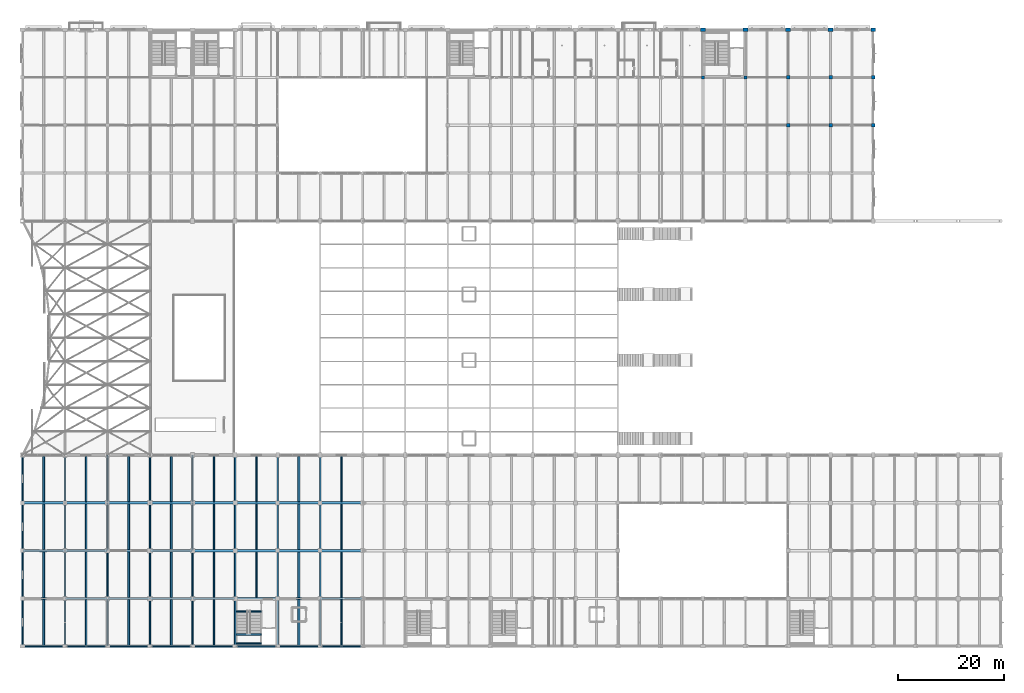
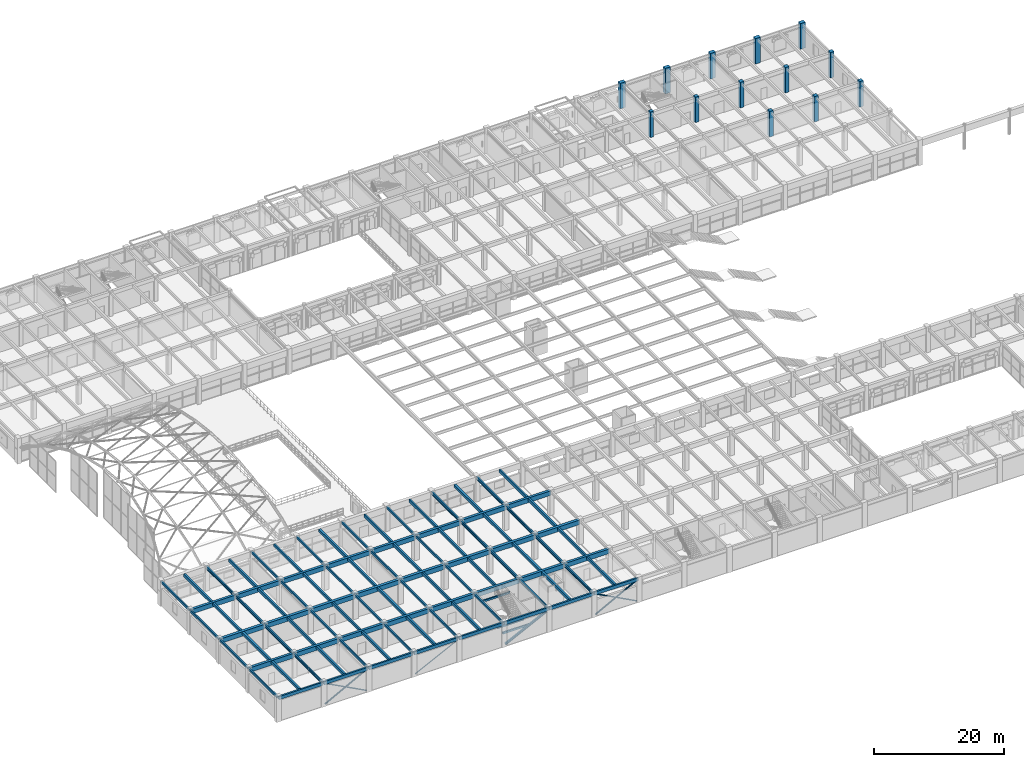
# One storey, part 7 of 144: 98 beams, 13 columns, 8 members.
"""IFC4 building model written with IfcOpenShell, lengths in metres."""

import ifcopenshell
import ifcopenshell.guid

model = None  # the IFC model being written
_history = None  # IfcOwnerHistory: only IFC2X3 demands one
_inside = {}  # id of a spatial element -> (the spatial element, [elements in it])
_under = {}  # id of a project, library or spatial element -> (it, [spatial elements below it])
_declared = {}  # id of a project -> (the project, [libraries it declares])
_typed = {}  # id of a type object -> (the type object, [elements of that type])
_made_of = {}  # id of a material, layer set ... -> (it, [elements and type objects made of it])


def new_model(schema):
    """Start an empty IFC model of exactly this schema.

    Asked for "IFC4X3", IfcOpenShell would pick the latest addendum, in which some entities
    have other attributes; the version numbers below select the first issue.
    IFC2X3 requires an IfcOwnerHistory on every rooted entity: one is made here for all.
    """
    global model, _history
    if schema == "IFC4X3":
        model = ifcopenshell.file(schema_version=(4, 3, 0, 0))
    else:
        model = ifcopenshell.file(schema=schema)
    _inside.clear()
    _under.clear()
    _declared.clear()
    _typed.clear()
    _made_of.clear()
    _history = None
    if model.schema == "IFC2X3":
        org = make("IfcOrganization", Name="unknown")
        user = make(
            "IfcPersonAndOrganization",
            ThePerson=make("IfcPerson", FamilyName="unknown"),
            TheOrganization=org,
        )
        app = make(
            "IfcApplication",
            ApplicationDeveloper=org,
            Version="unknown",
            ApplicationFullName="unknown",
            ApplicationIdentifier="unknown",
        )
        _history = make(
            "IfcOwnerHistory",
            OwningUser=user,
            OwningApplication=app,
            ChangeAction="ADDED",
            CreationDate=0,
        )
    return model


def make(cls, **values):
    """One entity of the class cls with the attributes given. An attribute that is None is left unset."""
    return model.create_entity(
        cls, **{name: value for name, value in values.items() if value is not None}
    )


def rooted(cls, **values):
    """An entity with a GlobalId (a new one), such as an element, a storey or a relation."""
    return make(cls, GlobalId=ifcopenshell.guid.new(), OwnerHistory=_history, **values)


def si_unit(unit_type, name, prefix=None):
    """IfcSIUnit, for example si_unit("LENGTHUNIT", "METRE", prefix="MILLI")."""
    return make("IfcSIUnit", UnitType=unit_type, Prefix=prefix, Name=name)


def assignment(units):
    """IfcUnitAssignment: the units of a project."""
    return None if units is None else make("IfcUnitAssignment", Units=units)


def point(xyz):
    """IfcCartesianPoint."""
    return None if xyz is None else make("IfcCartesianPoint", Coordinates=xyz)


def direction(xyz):
    """IfcDirection."""
    return None if xyz is None else make("IfcDirection", DirectionRatios=xyz)


def frame(location, z_axis=None, x_axis=None):
    """IfcAxis2Placement3D, a coordinate frame: its origin and axes. An axis left out is left unset."""
    return make(
        "IfcAxis2Placement3D",
        Location=point(location),
        Axis=direction(z_axis),
        RefDirection=direction(x_axis),
    )


def frame_2d(location, x_axis=None):
    """IfcAxis2Placement2D, a coordinate frame in the plane: its origin and x axis."""
    return make(
        "IfcAxis2Placement2D", Location=point(location), RefDirection=direction(x_axis)
    )


def origin():
    """The frame at (0, 0, 0) with its axes left unset."""
    return frame((0.0, 0.0, 0.0))


def origin_2d():
    """The frame at (0, 0) in the plane with its x axis left unset."""
    return frame_2d((0.0, 0.0))


def place(relative_to, where):
    """IfcLocalPlacement: puts the frame where relative to a parent placement (None: the world)."""
    return make(
        "IfcLocalPlacement", PlacementRelTo=relative_to, RelativePlacement=where
    )


def context(
    kind, dimensions, precision=None, world=None, true_north=None, identifier=None
):
    """IfcGeometricRepresentationContext, for example the 3D "Model" context."""
    return make(
        "IfcGeometricRepresentationContext",
        ContextIdentifier=identifier,
        ContextType=kind,
        CoordinateSpaceDimension=dimensions,
        Precision=precision,
        WorldCoordinateSystem=world,
        TrueNorth=true_north,
    )


def subcontext(parent, identifier, kind, view, scale=None):
    """IfcGeometricRepresentationSubContext, for example "Body" below "Model"."""
    return make(
        "IfcGeometricRepresentationSubContext",
        ContextIdentifier=identifier,
        ContextType=kind,
        ParentContext=parent,
        TargetScale=scale,
        TargetView=view,
    )


def project(units=None, contexts=None):
    """IfcProject with its units and contexts."""
    return rooted(
        "IfcProject",
        Name="project",
        RepresentationContexts=contexts,
        UnitsInContext=assignment(units),
    )


def spatial(cls, under=None, at=None, **own):
    """A site, building, storey or space (cls), placed at a placement, below another one or the project."""
    s = rooted(cls, ObjectPlacement=at, **own)
    if under is not None:
        _under.setdefault(under.id(), (under, []))[1].append(s)
    return s


def profile(cls, at=None, kind="AREA", **sizes):
    """A parametric profile (cls). Its sizes go by their IFC names, for example OverallWidth=200.0."""
    return make(cls, ProfileType=kind, Position=at, **sizes)


def rectangle(**sizes):
    """IfcRectangleProfileDef."""
    return profile("IfcRectangleProfileDef", **sizes)


def hollow_circle(**sizes):
    """IfcCircleHollowProfileDef."""
    return profile("IfcCircleHollowProfileDef", **sizes)


def i_section(**sizes):
    """IfcIShapeProfileDef."""
    return profile("IfcIShapeProfileDef", **sizes)


def extrude(swept, where, along, depth):
    """IfcExtrudedAreaSolid: the profile swept, set in the frame where, extruded along a direction by depth."""
    return make(
        "IfcExtrudedAreaSolid",
        SweptArea=swept,
        Position=where,
        ExtrudedDirection=direction(along),
        Depth=depth,
    )


def shape(context_of_items, identifier, shape_type, items):
    """IfcShapeRepresentation: the items that make up one representation, for example the "Body"."""
    return make(
        "IfcShapeRepresentation",
        ContextOfItems=context_of_items,
        RepresentationIdentifier=identifier,
        RepresentationType=shape_type,
        Items=items,
    )


def material(Name=None, Category=None):
    """IfcMaterial."""
    return make("IfcMaterial", Name=Name, Category=Category)


def material_profile(
    of_material, cross_section, Name=None, Category=None, Priority=None
):
    """IfcMaterialProfile: a cross section and its material."""
    return make(
        "IfcMaterialProfile",
        Name=Name,
        Material=of_material,
        Profile=cross_section,
        Priority=Priority,
        Category=Category,
    )


def profile_set(profiles, Name=None, composite=None):
    """IfcMaterialProfileSet."""
    return make(
        "IfcMaterialProfileSet",
        Name=Name,
        MaterialProfiles=profiles,
        CompositeProfile=composite,
    )


def made_of(thing, what):
    """Note that an element or type object is made of a material, layer set ...; save() writes the relation."""
    if what is not None:
        _made_of.setdefault(what.id(), (what, []))[1].append(thing)
    return thing


def type_object(cls, material=None, **own):
    """A type object (cls), such as IfcWallType, which elements share."""
    return made_of(rooted(cls, **own), material)


def element(
    cls,
    number,
    at=None,
    inside=None,
    cuts=None,
    type_object=None,
    material=None,
    context=None,
    identifier="Body",
    shape_type=None,
    held_by="IfcProductDefinitionShape",
    body=None,
    shapes=None,
    **own,
):
    """One element of the class cls, such as IfcWall. Its Tag is "e" and its number.

    at: its placement. inside: the storey or other place that contains it. cuts: it is an
    opening in that element (IfcRelVoidsElement). A single representation is given by context,
    identifier, shape_type and body (its items); several are given by shapes. held_by: the class
    of the entity that holds the representations. save() writes the other relations.
    """
    e = rooted(cls, Tag="e%d" % number, ObjectPlacement=at, **own)
    if body is not None:
        shapes = [shape(context, identifier, shape_type, body)]
    if shapes is not None:
        e.Representation = make(held_by, Representations=shapes)
    if inside is not None:
        _inside.setdefault(inside.id(), (inside, []))[1].append(e)
    if cuts is not None:
        rooted(
            "IfcRelVoidsElement", RelatingBuildingElement=cuts, RelatedOpeningElement=e
        )
    if type_object is not None:
        _typed.setdefault(type_object.id(), (type_object, []))[1].append(e)
    return made_of(e, material)


def aggregate(whole, parts):
    """IfcRelAggregates: a whole, such as a stair, and the parts it consists of."""
    return rooted("IfcRelAggregates", RelatingObject=whole, RelatedObjects=parts)


def save(model, path):
    """Write the relations noted so far, then the file.

    IfcRelAggregates (storeys below a building ...), IfcRelContainedInSpatialStructure (elements
    in a storey), IfcRelDefinesByType, IfcRelAssociatesMaterial and IfcRelDeclares: one each for
    every whole, place, type object, material and project.
    """
    for whole, parts in _under.values():
        aggregate(whole, parts)
    for where, things in _inside.values():
        rooted(
            "IfcRelContainedInSpatialStructure",
            RelatedElements=things,
            RelatingStructure=where,
        )
    for kind, things in _typed.values():
        rooted("IfcRelDefinesByType", RelatedObjects=things, RelatingType=kind)
    for what, things in _made_of.values():
        rooted("IfcRelAssociatesMaterial", RelatedObjects=things, RelatingMaterial=what)
    for by, libraries in _declared.values():
        rooted("IfcRelDeclares", RelatingContext=by, RelatedDefinitions=libraries)
    model.write(path)


model = new_model("IFC4")

# Units and contexts
model_context = context("Model", 3, precision=1e-05, world=origin(), true_north=direction((0.0, 1.0)))
body_context = subcontext(model_context, "Body", "Model", "MODEL_VIEW")
ifc_project = project(units=[si_unit("LENGTHUNIT", "METRE"), si_unit("AREAUNIT", "SQUARE_METRE"), si_unit("VOLUMEUNIT", "CUBIC_METRE"), si_unit("PLANEANGLEUNIT", "RADIAN"), si_unit("MASSUNIT", "GRAM", prefix="KILO")], contexts=[model_context])

# Site, building, storey
site_placement = place(None, origin())
site = spatial("IfcSite", under=ifc_project, at=site_placement, CompositionType="ELEMENT")
building_placement = place(site_placement, origin())
building = spatial("IfcBuilding", under=site, at=building_placement, Name="Varnabhumi Central Station", CompositionType="ELEMENT")
storey_placement = place(building_placement, frame((0.0, 0.0, 4.800048828125)))
storey = spatial("IfcBuildingStorey", under=building, at=storey_placement, Name="L01", CompositionType="ELEMENT", Elevation=4.800048828125)

# Columns
ifc_material_1 = material(Name="Concrete M40", Category="concrete")
ifc_material_profile_1 = material_profile(ifc_material_1, rectangle(XDim=0.60009765625, YDim=0.60009765625, at=origin_2d()), Name="Concrete M40", Category="concrete")
ifc_profile_set_1 = profile_set([ifc_material_profile_1], Name="Concrete M40")
column_type_1 = type_object("IfcColumnType", Name="COL-NORTH-600", PredefinedType="COLUMN", material=ifc_profile_set_1)
for number, where, z_axis, x_axis, name in (
    (1, (128.0, 107.0, 0.0), (0.0, 0.0, 1.0), (1.0, 0.0, 0.0), "Column L01-17N"),
    (2, (136.0, 107.0, 0.0), (0.0, 0.0, 1.0), (1.0, 0.0, 0.0), "Column L01-18N"),
):
    element("IfcColumn", number, at=place(storey_placement, frame(where, z_axis=z_axis, x_axis=x_axis)), inside=storey, type_object=column_type_1, Name=name, PredefinedType="COLUMN", context=body_context, shape_type="SweptSolid", body=[
        extrude(rectangle(XDim=0.60009765625, YDim=0.60009765625, at=origin_2d()), origin(), (0.0, 0.0, 1.0), 4.800048828125),
    ])
ifc_material_profile_2 = material_profile(ifc_material_1, rectangle(XDim=0.64990234375, YDim=0.64990234375, at=origin_2d()), Name="Concrete M40", Category="concrete")
ifc_profile_set_2 = profile_set([ifc_material_profile_2], Name="Concrete M40")
column_type_2 = type_object("IfcColumnType", Name="COL-RC-650", PredefinedType="COLUMN", material=ifc_profile_set_2)
for number, where, z_axis, x_axis, name in (
    (3, (144.0, 98.0, 0.0), (0.0, 0.0, 1.0), (1.0, 0.0, 0.0), "Column L01-19M"),
    (4, (144.0, 107.0, 0.0), (0.0, 0.0, 1.0), (1.0, 0.0, 0.0), "Column L01-19N"),
    (5, (152.0, 98.0, 0.0), (0.0, 0.0, 1.0), (1.0, 0.0, 0.0), "Column L01-20M"),
    (6, (152.0, 107.0, 0.0), (0.0, 0.0, 1.0), (1.0, 0.0, 0.0), "Column L01-20N"),
    (7, (160.0, 98.0, 0.0), (0.0, 0.0, 1.0), (1.0, 0.0, 0.0), "Column L01-21M"),
    (8, (160.0, 107.0, 0.0), (0.0, 0.0, 1.0), (1.0, 0.0, 0.0), "Column L01-21N"),
):
    element("IfcColumn", number, at=place(storey_placement, frame(where, z_axis=z_axis, x_axis=x_axis)), inside=storey, type_object=column_type_2, Name=name, PredefinedType="COLUMN", context=body_context, shape_type="SweptSolid", body=[
        extrude(rectangle(XDim=0.64990234375, YDim=0.64990234375, at=origin_2d()), origin(), (0.0, 0.0, 1.0), 4.800048828125),
    ])
ifc_material_profile_3 = material_profile(ifc_material_1, rectangle(XDim=0.89990234375, YDim=0.64990234375, at=origin_2d()), Name="Concrete M40", Category="concrete")
ifc_profile_set_3 = profile_set([ifc_material_profile_3], Name="Concrete M40")
column_type_3 = type_object("IfcColumnType", Name="COL-RC-900x650", PredefinedType="PILASTER", material=ifc_profile_set_3)
for number, where, z_axis, x_axis, name in (
    (9, (128.0, 116.0, 0.0), (0.0, 0.0, 1.0), (1.0, 0.0, 0.0), "Column L01-17P"),
    (10, (136.0, 116.0, 0.0), (0.0, 0.0, 1.0), (1.0, 0.0, 0.0), "Column L01-18P"),
    (11, (144.0, 116.0, 0.0), (0.0, 0.0, 1.0), (1.0, 0.0, 0.0), "Column L01-19P"),
    (12, (152.0, 116.0, 0.0), (0.0, 0.0, 1.0), (1.0, 0.0, 0.0), "Column L01-20P"),
    (13, (160.0, 116.0, 0.0), (0.0, 0.0, 1.0), (1.0, 0.0, 0.0), "Column L01-21P"),
):
    element("IfcColumn", number, at=place(storey_placement, frame(where, z_axis=z_axis, x_axis=x_axis)), inside=storey, type_object=column_type_3, Name=name, PredefinedType="PILASTER", context=body_context, shape_type="SweptSolid", body=[
        extrude(rectangle(XDim=0.89990234375, YDim=0.64990234375, at=origin_2d()), origin(), (0.0, 0.0, 1.0), 4.800048828125),
    ])

# Beams
ifc_material_2 = material(Name="Concrete M35", Category="concrete")
ifc_material_profile_4 = material_profile(ifc_material_2, rectangle(XDim=0.25, YDim=0.35009765625, at=origin_2d()), Name="Concrete M35", Category="concrete")
ifc_profile_set_4 = profile_set([ifc_material_profile_4], Name="Concrete M35")
beam_type_1 = type_object("IfcBeamType", Name="BM-RC-250x350", PredefinedType="LINTEL", material=ifc_profile_set_4)
for number, where, z_axis, x_axis, name in (
    (14, (40.179931640625, 0.5400390625, 2.044921875), (1.0, 0.0, 0.0), (0.0, 1.0, 0.0), "ST-S1 L01 Half Landing Support Beam 1"),
    (15, (40.179931640625, 2.205078125, 2.044921875), (1.0, 0.0, 0.0), (0.0, 1.0, 0.0), "ST-S1 L01 Half Landing Support Beam 2"),
    (16, (40.179931640625, 6.580078125, 4.375), (1.0, 0.0, 0.0), (0.0, 1.0, 0.0), "ST-S1 L01 Floor Opening Trimmer Beam"),
):
    element("IfcBeam", number, at=place(storey_placement, frame(where, z_axis=z_axis, x_axis=x_axis)), inside=storey, type_object=beam_type_1, Name=name, PredefinedType="LINTEL", context=body_context, shape_type="SweptSolid", body=[
        extrude(rectangle(XDim=0.25, YDim=0.35009765625, at=origin_2d()), origin(), (0.0, 0.0, 1.0), 4.719970703125),
    ])
ifc_material_profile_5 = material_profile(ifc_material_2, rectangle(XDim=0.25, YDim=0.39990234375, at=origin_2d()), Name="Concrete M35", Category="concrete")
ifc_profile_set_5 = profile_set([ifc_material_profile_5], Name="Concrete M35")
beam_type_2 = type_object("IfcBeamType", Name="BM-RC-250x400", PredefinedType="LINTEL", material=ifc_profile_set_5)
for number, where, z_axis, x_axis, name in (
    (17, (0.0, 0.10009765625, 4.349853515625), (0.0, 1.0, 0.0), (-1.0, 0.0, 0.0), "Beam L01-1:A-B"),
    (18, (16.0, 0.10009765625, 4.349853515625), (0.0, 1.0, 0.0), (-1.0, 0.0, 0.0), "Beam L01-3:A-B"),
    (19, (24.0, 0.10009765625, 4.349853515625), (0.0, 1.0, 0.0), (-1.0, 0.0, 0.0), "Beam L01-4:A-B"),
    (20, (32.0, 0.10009765625, 4.349853515625), (0.0, 1.0, 0.0), (-1.0, 0.0, 0.0), "Beam L01-5:A-B"),
    (21, (40.0, 0.10009765625, 4.349853515625), (0.0, 1.0, 0.0), (-1.0, 0.0, 0.0), "Beam L01-6:A-B"),
    (22, (0.0, 9.10009765625, 4.349853515625), (0.0, 1.0, 0.0), (-1.0, 0.0, 0.0), "Beam L01-1:B-C"),
    (23, (16.0, 9.10009765625, 4.349853515625), (0.0, 1.0, 0.0), (-1.0, 0.0, 0.0), "Beam L01-3:B-C"),
    (24, (24.0, 9.10009765625, 4.349853515625), (0.0, 1.0, 0.0), (-1.0, 0.0, 0.0), "Beam L01-4:B-C"),
    (25, (32.0, 9.10009765625, 4.349853515625), (0.0, 1.0, 0.0), (-1.0, 0.0, 0.0), "Beam L01-5:B-C"),
    (26, (40.0, 9.10009765625, 4.349853515625), (0.0, 1.0, 0.0), (-1.0, 0.0, 0.0), "Beam L01-6:B-C"),
    (27, (0.0, 18.10009765625, 4.349853515625), (0.0, 1.0, 0.0), (-1.0, 0.0, 0.0), "Beam L01-1:C-D"),
    (28, (16.0, 18.10009765625, 4.349853515625), (0.0, 1.0, 0.0), (-1.0, 0.0, 0.0), "Beam L01-3:C-D"),
    (29, (24.0, 18.10009765625, 4.349853515625), (0.0, 1.0, 0.0), (-1.0, 0.0, 0.0), "Beam L01-4:C-D"),
    (30, (32.0, 18.10009765625, 4.349853515625), (0.0, 1.0, 0.0), (-1.0, 0.0, 0.0), "Beam L01-5:C-D"),
    (31, (40.0, 18.10009765625, 4.349853515625), (0.0, 1.0, 0.0), (-1.0, 0.0, 0.0), "Beam L01-6:C-D"),
    (32, (0.0, 27.10009765625, 4.349853515625), (0.0, 1.0, 0.0), (-1.0, 0.0, 0.0), "Beam L01-1:D-E"),
    (33, (16.0, 27.10009765625, 4.349853515625), (0.0, 1.0, 0.0), (-1.0, 0.0, 0.0), "Beam L01-3:D-E"),
    (34, (24.0, 27.10009765625, 4.349853515625), (0.0, 1.0, 0.0), (-1.0, 0.0, 0.0), "Beam L01-4:D-E"),
    (35, (32.0, 27.10009765625, 4.349853515625), (0.0, 1.0, 0.0), (-1.0, 0.0, 0.0), "Beam L01-5:D-E"),
    (36, (40.0, 27.10009765625, 4.349853515625), (0.0, 1.0, 0.0), (-1.0, 0.0, 0.0), "Beam L01-6:D-E"),
):
    element("IfcBeam", number, at=place(storey_placement, frame(where, z_axis=z_axis, x_axis=x_axis)), inside=storey, type_object=beam_type_2, Name=name, PredefinedType="LINTEL", context=body_context, shape_type="SweptSolid", body=[
        extrude(rectangle(XDim=0.25, YDim=0.39990234375, at=origin_2d()), origin(), (0.0, 0.0, 1.0), 8.7998046875),
    ])
ifc_material_profile_6 = material_profile(ifc_material_1, rectangle(XDim=0.300048828125, YDim=0.5, at=origin_2d()), Name="Concrete M40", Category="concrete")
ifc_profile_set_6 = profile_set([ifc_material_profile_6], Name="Concrete M40")
beam_type_3 = type_object("IfcBeamType", Name="BM-RC-300x500", PredefinedType="JOIST", material=ifc_profile_set_6)
beam_placement = place(storey_placement, frame((20.0, 0.14990234375, 4.300048828125), z_axis=(0.0, 1.0, 0.0), x_axis=(-1.0, 0.0, 0.0)))
element("IfcBeam", 37, at=beam_placement, inside=storey, type_object=beam_type_3, Name="Secondary Joist L01-3/4:A-B", PredefinedType="JOIST", context=body_context, shape_type="SweptSolid", body=[
    extrude(rectangle(XDim=0.300048828125, YDim=0.5, at=origin_2d()), origin(), (0.0, 0.0, 1.0), 8.625),
])
for number, where, z_axis, x_axis, name in (
    (38, (20.0, 9.22509765625, 4.300048828125), (0.0, 1.0, 0.0), (-1.0, 0.0, 0.0), "Secondary Joist L01-3/4:B-C"),
    (39, (44.0, 9.22509765625, 4.300048828125), (0.0, 1.0, 0.0), (-1.0, 0.0, 0.0), "Secondary Joist L01-6/7:B-C"),
    (40, (20.0, 18.25, 4.300048828125), (0.0, 1.0, 0.0), (-1.0, 0.0, 0.0), "Secondary Joist L01-3/4:C-D"),
    (41, (44.0, 18.25, 4.300048828125), (0.0, 1.0, 0.0), (-1.0, 0.0, 0.0), "Secondary Joist L01-6/7:C-D"),
):
    element("IfcBeam", number, at=place(storey_placement, frame(where, z_axis=z_axis, x_axis=x_axis)), inside=storey, type_object=beam_type_3, Name=name, PredefinedType="JOIST", context=body_context, shape_type="SweptSolid", body=[
        extrude(rectangle(XDim=0.300048828125, YDim=0.5, at=origin_2d()), origin(), (0.0, 0.0, 1.0), 8.52490234375),
    ])
for number, where, z_axis, x_axis, name in (
    (42, (20.0, 27.22509765625, 4.300048828125), (0.0, 1.0, 0.0), (-1.0, 0.0, 0.0), "Secondary Joist L01-3/4:D-E"),
    (43, (44.0, 27.22509765625, 4.300048828125), (0.0, 1.0, 0.0), (-1.0, 0.0, 0.0), "Secondary Joist L01-6/7:D-E"),
):
    element("IfcBeam", number, at=place(storey_placement, frame(where, z_axis=z_axis, x_axis=x_axis)), inside=storey, type_object=beam_type_3, Name=name, PredefinedType="JOIST", context=body_context, shape_type="SweptSolid", body=[
        extrude(rectangle(XDim=0.300048828125, YDim=0.5, at=origin_2d()), origin(), (0.0, 0.0, 1.0), 8.474853515625),
    ])
ifc_material_profile_7 = material_profile(ifc_material_1, rectangle(XDim=0.300048828125, YDim=0.550048828125, at=origin_2d()), Name="Concrete M40", Category="concrete")
ifc_profile_set_7 = profile_set([ifc_material_profile_7], Name="Concrete M40")
beam_type_4 = type_object("IfcBeamType", Name="BM-RC-300x550", PredefinedType="JOIST", material=ifc_profile_set_7)
for number, where, z_axis, x_axis, name in (
    (44, (12.0, 0.14990234375, 4.27490234375), (0.0, 1.0, 0.0), (-1.0, 0.0, 0.0), "Secondary Joist L01-2/3:A-B"),
    (45, (36.0, 0.14990234375, 4.27490234375), (0.0, 1.0, 0.0), (-1.0, 0.0, 0.0), "Secondary Joist L01-5/6:A-B"),
    (46, (60.0, 0.14990234375, 4.27490234375), (0.0, 1.0, 0.0), (-1.0, 0.0, 0.0), "Secondary Joist L01-8/9:A-B"),
):
    element("IfcBeam", number, at=place(storey_placement, frame(where, z_axis=z_axis, x_axis=x_axis)), inside=storey, type_object=beam_type_4, Name=name, PredefinedType="JOIST", context=body_context, shape_type="SweptSolid", body=[
        extrude(rectangle(XDim=0.300048828125, YDim=0.550048828125, at=origin_2d()), origin(), (0.0, 0.0, 1.0), 8.625),
    ])
for number, where, z_axis, x_axis, name in (
    (47, (12.0, 9.22509765625, 4.27490234375), (0.0, 1.0, 0.0), (-1.0, 0.0, 0.0), "Secondary Joist L01-2/3:B-C"),
    (48, (36.0, 9.22509765625, 4.27490234375), (0.0, 1.0, 0.0), (-1.0, 0.0, 0.0), "Secondary Joist L01-5/6:B-C"),
    (49, (60.0, 9.22509765625, 4.27490234375), (0.0, 1.0, 0.0), (-1.0, 0.0, 0.0), "Secondary Joist L01-8/9:B-C"),
    (50, (12.0, 18.25, 4.27490234375), (0.0, 1.0, 0.0), (-1.0, 0.0, 0.0), "Secondary Joist L01-2/3:C-D"),
    (51, (36.0, 18.25, 4.27490234375), (0.0, 1.0, 0.0), (-1.0, 0.0, 0.0), "Secondary Joist L01-5/6:C-D"),
    (52, (60.0, 18.25, 4.27490234375), (0.0, 1.0, 0.0), (-1.0, 0.0, 0.0), "Secondary Joist L01-8/9:C-D"),
):
    element("IfcBeam", number, at=place(storey_placement, frame(where, z_axis=z_axis, x_axis=x_axis)), inside=storey, type_object=beam_type_4, Name=name, PredefinedType="JOIST", context=body_context, shape_type="SweptSolid", body=[
        extrude(rectangle(XDim=0.300048828125, YDim=0.550048828125, at=origin_2d()), origin(), (0.0, 0.0, 1.0), 8.52490234375),
    ])
for number, where, z_axis, x_axis, name in (
    (53, (12.0, 27.22509765625, 4.27490234375), (0.0, 1.0, 0.0), (-1.0, 0.0, 0.0), "Secondary Joist L01-2/3:D-E"),
    (54, (36.0, 27.22509765625, 4.27490234375), (0.0, 1.0, 0.0), (-1.0, 0.0, 0.0), "Secondary Joist L01-5/6:D-E"),
    (55, (60.0, 27.22509765625, 4.27490234375), (0.0, 1.0, 0.0), (-1.0, 0.0, 0.0), "Secondary Joist L01-8/9:D-E"),
):
    element("IfcBeam", number, at=place(storey_placement, frame(where, z_axis=z_axis, x_axis=x_axis)), inside=storey, type_object=beam_type_4, Name=name, PredefinedType="JOIST", context=body_context, shape_type="SweptSolid", body=[
        extrude(rectangle(XDim=0.300048828125, YDim=0.550048828125, at=origin_2d()), origin(), (0.0, 0.0, 1.0), 8.474853515625),
    ])
ifc_material_profile_8 = material_profile(ifc_material_1, rectangle(XDim=0.300048828125, YDim=0.60009765625, at=origin_2d()), Name="Concrete M40", Category="concrete")
ifc_profile_set_8 = profile_set([ifc_material_profile_8], Name="Concrete M40")
beam_type_5 = type_object("IfcBeamType", Name="BM-RC-300x600", PredefinedType="SPANDREL", material=ifc_profile_set_8)
for number, where, z_axis, x_axis, name in (
    (56, (0.10009765625, 0.0, 4.25), (1.0, 0.0, 0.0), (0.0, 1.0, 0.0), "Beam L01-A:1-2"),
    (57, (8.10009765625, 0.0, 4.25), (1.0, 0.0, 0.0), (0.0, 1.0, 0.0), "Beam L01-A:2-3"),
    (58, (16.10009765625, 0.0, 4.25), (1.0, 0.0, 0.0), (0.0, 1.0, 0.0), "Beam L01-A:3-4"),
    (59, (24.10009765625, 0.0, 4.25), (1.0, 0.0, 0.0), (0.0, 1.0, 0.0), "Beam L01-A:4-5"),
    (60, (32.10009765625, 0.0, 4.25), (1.0, 0.0, 0.0), (0.0, 1.0, 0.0), "Beam L01-A:5-6"),
    (61, (40.10009765625, 0.0, 4.25), (1.0, 0.0, 0.0), (0.0, 1.0, 0.0), "Beam L01-A:6-7"),
    (62, (48.10009765625, 0.0, 4.25), (1.0, 0.0, 0.0), (0.0, 1.0, 0.0), "Beam L01-A:7-8"),
    (63, (56.10009765625, 0.0, 4.25), (1.0, 0.0, 0.0), (0.0, 1.0, 0.0), "Beam L01-A:8-9"),
):
    element("IfcBeam", number, at=place(storey_placement, frame(where, z_axis=z_axis, x_axis=x_axis)), inside=storey, type_object=beam_type_5, Name=name, PredefinedType="SPANDREL", context=body_context, shape_type="SweptSolid", body=[
        extrude(rectangle(XDim=0.300048828125, YDim=0.60009765625, at=origin_2d()), origin(), (0.0, 0.0, 1.0), 7.7998046875),
    ])
ifc_material_profile_9 = material_profile(ifc_material_1, rectangle(XDim=0.35009765625, YDim=0.5, at=origin_2d()), Name="Concrete M40", Category="concrete")
ifc_profile_set_9 = profile_set([ifc_material_profile_9], Name="Concrete M40")
beam_type_6 = type_object("IfcBeamType", Name="BM-RC-350x500", PredefinedType="JOIST", material=ifc_profile_set_9)
for number, where, z_axis, x_axis, name in (
    (64, (4.0, 0.14990234375, 4.300048828125), (0.0, 1.0, 0.0), (-1.0, 0.0, 0.0), "Secondary Joist L01-1/2:A-B"),
    (65, (28.0, 0.14990234375, 4.300048828125), (0.0, 1.0, 0.0), (-1.0, 0.0, 0.0), "Secondary Joist L01-4/5:A-B"),
    (66, (52.0, 0.14990234375, 4.300048828125), (0.0, 1.0, 0.0), (-1.0, 0.0, 0.0), "Secondary Joist L01-7/8:A-B"),
):
    element("IfcBeam", number, at=place(storey_placement, frame(where, z_axis=z_axis, x_axis=x_axis)), inside=storey, type_object=beam_type_6, Name=name, PredefinedType="JOIST", context=body_context, shape_type="SweptSolid", body=[
        extrude(rectangle(XDim=0.35009765625, YDim=0.5, at=origin_2d()), origin(), (0.0, 0.0, 1.0), 8.625),
    ])
for number, where, z_axis, x_axis, name in (
    (67, (4.0, 9.22509765625, 4.300048828125), (0.0, 1.0, 0.0), (-1.0, 0.0, 0.0), "Secondary Joist L01-1/2:B-C"),
    (68, (28.0, 9.22509765625, 4.300048828125), (0.0, 1.0, 0.0), (-1.0, 0.0, 0.0), "Secondary Joist L01-4/5:B-C"),
    (69, (52.0, 9.22509765625, 4.300048828125), (0.0, 1.0, 0.0), (-1.0, 0.0, 0.0), "Secondary Joist L01-7/8:B-C"),
    (70, (4.0, 18.25, 4.300048828125), (0.0, 1.0, 0.0), (-1.0, 0.0, 0.0), "Secondary Joist L01-1/2:C-D"),
    (71, (28.0, 18.25, 4.300048828125), (0.0, 1.0, 0.0), (-1.0, 0.0, 0.0), "Secondary Joist L01-4/5:C-D"),
    (72, (52.0, 18.25, 4.300048828125), (0.0, 1.0, 0.0), (-1.0, 0.0, 0.0), "Secondary Joist L01-7/8:C-D"),
):
    element("IfcBeam", number, at=place(storey_placement, frame(where, z_axis=z_axis, x_axis=x_axis)), inside=storey, type_object=beam_type_6, Name=name, PredefinedType="JOIST", context=body_context, shape_type="SweptSolid", body=[
        extrude(rectangle(XDim=0.35009765625, YDim=0.5, at=origin_2d()), origin(), (0.0, 0.0, 1.0), 8.52490234375),
    ])
for number, where, z_axis, x_axis, name in (
    (73, (4.0, 27.22509765625, 4.300048828125), (0.0, 1.0, 0.0), (-1.0, 0.0, 0.0), "Secondary Joist L01-1/2:D-E"),
    (74, (28.0, 27.22509765625, 4.300048828125), (0.0, 1.0, 0.0), (-1.0, 0.0, 0.0), "Secondary Joist L01-4/5:D-E"),
    (75, (52.0, 27.22509765625, 4.300048828125), (0.0, 1.0, 0.0), (-1.0, 0.0, 0.0), "Secondary Joist L01-7/8:D-E"),
):
    element("IfcBeam", number, at=place(storey_placement, frame(where, z_axis=z_axis, x_axis=x_axis)), inside=storey, type_object=beam_type_6, Name=name, PredefinedType="JOIST", context=body_context, shape_type="SweptSolid", body=[
        extrude(rectangle(XDim=0.35009765625, YDim=0.5, at=origin_2d()), origin(), (0.0, 0.0, 1.0), 8.474853515625),
    ])
ifc_material_profile_10 = material_profile(ifc_material_1, rectangle(XDim=0.449951171875, YDim=0.85009765625, at=origin_2d()), Name="Concrete M40", Category="concrete")
ifc_profile_set_10 = profile_set([ifc_material_profile_10], Name="Concrete M40")
beam_type_7 = type_object("IfcBeamType", Name="BM-RC-450x850", PredefinedType="BEAM", material=ifc_profile_set_10)
for number, where, z_axis, x_axis, name in (
    (76, (0.10009765625, 9.0, 4.125), (1.0, 0.0, 0.0), (0.0, 1.0, 0.0), "Beam L01-B:1-2"),
    (77, (0.10009765625, 27.0, 4.125), (1.0, 0.0, 0.0), (0.0, 1.0, 0.0), "Beam L01-D:1-2"),
    (78, (8.10009765625, 9.0, 4.125), (1.0, 0.0, 0.0), (0.0, 1.0, 0.0), "Beam L01-B:2-3"),
    (79, (8.10009765625, 27.0, 4.125), (1.0, 0.0, 0.0), (0.0, 1.0, 0.0), "Beam L01-D:2-3"),
    (80, (16.10009765625, 9.0, 4.125), (1.0, 0.0, 0.0), (0.0, 1.0, 0.0), "Beam L01-B:3-4"),
    (81, (16.10009765625, 27.0, 4.125), (1.0, 0.0, 0.0), (0.0, 1.0, 0.0), "Beam L01-D:3-4"),
    (82, (24.10009765625, 9.0, 4.125), (1.0, 0.0, 0.0), (0.0, 1.0, 0.0), "Beam L01-B:4-5"),
    (83, (24.10009765625, 27.0, 4.125), (1.0, 0.0, 0.0), (0.0, 1.0, 0.0), "Beam L01-D:4-5"),
    (84, (32.10009765625, 9.0, 4.125), (1.0, 0.0, 0.0), (0.0, 1.0, 0.0), "Beam L01-B:5-6"),
    (85, (32.10009765625, 27.0, 4.125), (1.0, 0.0, 0.0), (0.0, 1.0, 0.0), "Beam L01-D:5-6"),
    (86, (40.10009765625, 9.0, 4.125), (1.0, 0.0, 0.0), (0.0, 1.0, 0.0), "Beam L01-B:6-7"),
    (87, (40.10009765625, 27.0, 4.125), (1.0, 0.0, 0.0), (0.0, 1.0, 0.0), "Beam L01-D:6-7"),
    (88, (48.10009765625, 9.0, 4.125), (1.0, 0.0, 0.0), (0.0, 1.0, 0.0), "Beam L01-B:7-8"),
    (89, (48.10009765625, 27.0, 4.125), (1.0, 0.0, 0.0), (0.0, 1.0, 0.0), "Beam L01-D:7-8"),
    (90, (56.10009765625, 9.0, 4.125), (1.0, 0.0, 0.0), (0.0, 1.0, 0.0), "Beam L01-B:8-9"),
    (91, (56.10009765625, 27.0, 4.125), (1.0, 0.0, 0.0), (0.0, 1.0, 0.0), "Beam L01-D:8-9"),
):
    element("IfcBeam", number, at=place(storey_placement, frame(where, z_axis=z_axis, x_axis=x_axis)), inside=storey, type_object=beam_type_7, Name=name, PredefinedType="BEAM", context=body_context, shape_type="SweptSolid", body=[
        extrude(rectangle(XDim=0.449951171875, YDim=0.85009765625, at=origin_2d()), origin(), (0.0, 0.0, 1.0), 7.7998046875),
    ])
ifc_material_profile_11 = material_profile(ifc_material_1, rectangle(XDim=0.5, YDim=0.85009765625, at=origin_2d()), Name="Concrete M40", Category="concrete")
ifc_profile_set_11 = profile_set([ifc_material_profile_11], Name="Concrete M40")
beam_type_8 = type_object("IfcBeamType", Name="BM-RC-500x850", PredefinedType="BEAM", material=ifc_profile_set_11)
for number, where, z_axis, x_axis, name in (
    (92, (0.10009765625, 18.0, 4.125), (1.0, 0.0, 0.0), (0.0, 1.0, 0.0), "Beam L01-C:1-2"),
    (93, (8.10009765625, 18.0, 4.125), (1.0, 0.0, 0.0), (0.0, 1.0, 0.0), "Beam L01-C:2-3"),
    (94, (16.10009765625, 18.0, 4.125), (1.0, 0.0, 0.0), (0.0, 1.0, 0.0), "Beam L01-C:3-4"),
    (95, (24.10009765625, 18.0, 4.125), (1.0, 0.0, 0.0), (0.0, 1.0, 0.0), "Beam L01-C:4-5"),
    (96, (32.10009765625, 18.0, 4.125), (1.0, 0.0, 0.0), (0.0, 1.0, 0.0), "Beam L01-C:5-6"),
    (97, (40.10009765625, 18.0, 4.125), (1.0, 0.0, 0.0), (0.0, 1.0, 0.0), "Beam L01-C:6-7"),
    (98, (48.10009765625, 18.0, 4.125), (1.0, 0.0, 0.0), (0.0, 1.0, 0.0), "Beam L01-C:7-8"),
    (99, (56.10009765625, 18.0, 4.125), (1.0, 0.0, 0.0), (0.0, 1.0, 0.0), "Beam L01-C:8-9"),
):
    element("IfcBeam", number, at=place(storey_placement, frame(where, z_axis=z_axis, x_axis=x_axis)), inside=storey, type_object=beam_type_8, Name=name, PredefinedType="BEAM", context=body_context, shape_type="SweptSolid", body=[
        extrude(rectangle(XDim=0.5, YDim=0.85009765625, at=origin_2d()), origin(), (0.0, 0.0, 1.0), 7.7998046875),
    ])
ifc_material_3 = material(Name="Structural steel E350", Category="steel")
ifc_material_profile_12 = material_profile(ifc_material_3, i_section(OverallWidth=0.25, OverallDepth=0.550048828125, WebThickness=0.010498046875, FlangeThickness=0.017578125, FilletRadius=0.01611328125, at=origin_2d()), Name="Structural steel E350", Category="steel")
ifc_profile_set_12 = profile_set([ifc_material_profile_12], Name="Structural steel E350")
beam_type_9 = type_object("IfcBeamType", Name="BM-STL-ISWB550", PredefinedType="BEAM", material=ifc_profile_set_12)
for number, where, z_axis, x_axis, name in (
    (100, (8.0, 0.10009765625, 4.27490234375), (0.0, 1.0, 0.0), (-1.0, 0.0, 0.0), "Beam L01-2:A-B"),
    (101, (48.0, 0.10009765625, 4.27490234375), (0.0, 1.0, 0.0), (-1.0, 0.0, 0.0), "Beam L01-7:A-B"),
    (102, (56.0, 0.10009765625, 4.27490234375), (0.0, 1.0, 0.0), (-1.0, 0.0, 0.0), "Beam L01-8:A-B"),
    (103, (8.0, 9.10009765625, 4.27490234375), (0.0, 1.0, 0.0), (-1.0, 0.0, 0.0), "Beam L01-2:B-C"),
    (104, (48.0, 9.10009765625, 4.27490234375), (0.0, 1.0, 0.0), (-1.0, 0.0, 0.0), "Beam L01-7:B-C"),
    (105, (56.0, 9.10009765625, 4.27490234375), (0.0, 1.0, 0.0), (-1.0, 0.0, 0.0), "Beam L01-8:B-C"),
    (106, (8.0, 18.10009765625, 4.27490234375), (0.0, 1.0, 0.0), (-1.0, 0.0, 0.0), "Beam L01-2:C-D"),
    (107, (48.0, 18.10009765625, 4.27490234375), (0.0, 1.0, 0.0), (-1.0, 0.0, 0.0), "Beam L01-7:C-D"),
    (108, (56.0, 18.10009765625, 4.27490234375), (0.0, 1.0, 0.0), (-1.0, 0.0, 0.0), "Beam L01-8:C-D"),
    (109, (8.0, 27.10009765625, 4.27490234375), (0.0, 1.0, 0.0), (-1.0, 0.0, 0.0), "Beam L01-2:D-E"),
    (110, (48.0, 27.10009765625, 4.27490234375), (0.0, 1.0, 0.0), (-1.0, 0.0, 0.0), "Beam L01-7:D-E"),
    (111, (56.0, 27.10009765625, 4.27490234375), (0.0, 1.0, 0.0), (-1.0, 0.0, 0.0), "Beam L01-8:D-E"),
):
    element("IfcBeam", number, at=place(storey_placement, frame(where, z_axis=z_axis, x_axis=x_axis)), inside=storey, type_object=beam_type_9, Name=name, PredefinedType="BEAM", context=body_context, shape_type="SweptSolid", body=[
        extrude(i_section(OverallWidth=0.25, OverallDepth=0.550048828125, WebThickness=0.010498046875, FlangeThickness=0.017578125, FilletRadius=0.01611328125, at=origin_2d()), origin(), (0.0, 0.0, 1.0), 8.7998046875),
    ])

# Members
ifc_material_profile_13 = material_profile(ifc_material_3, i_section(OverallWidth=0.25, OverallDepth=0.39990234375, WebThickness=0.010498046875, FlangeThickness=0.0126953125, FilletRadius=0.013916015625, at=origin_2d()), Name="Structural steel E350", Category="steel")
ifc_profile_set_13 = profile_set([ifc_material_profile_13], Name="Structural steel E350")
member_type_1 = type_object("IfcMemberType", Name="MBR-ARCH-ISHB400", PredefinedType="BRACE", material=ifc_profile_set_13)
member_1_placement = place(storey_placement, frame((40.320068359375, 0.0, 0.25), z_axis=(0.895884545566, 0.0, 0.444286935455), x_axis=(0.0, 1.0, 0.0)))
element("IfcMember", 112, at=member_1_placement, inside=storey, type_object=member_type_1, Name="Lateral Frame Brace WB-7", PredefinedType="BRACE", context=body_context, shape_type="SweptSolid", body=[
    extrude(i_section(OverallWidth=0.25, OverallDepth=0.39990234375, WebThickness=0.010498046875, FlangeThickness=0.0126953125, FilletRadius=0.013916015625, at=origin_2d()), origin(), (0.0, 0.0, 1.0), 8.215087890625),
])
ifc_material_profile_14 = material_profile(ifc_material_3, hollow_circle(Radius=0.109619140625, WallThickness=0.010009765625, at=origin_2d()), Name="Structural steel E350", Category="steel")
ifc_profile_set_14 = profile_set([ifc_material_profile_14], Name="Structural steel E350")
member_type_2 = type_object("IfcMemberType", Name="MBR-BRACE-CHS219", PredefinedType="BRACE", material=ifc_profile_set_14)
for number, where, z_axis, x_axis, name in (
    (113, (8.320068359375, 0.0, 4.099853515625), (0.883618805875, 0.0, -0.468207011806), (0.0, 1.0, 0.0), "Spine Lateral Split Brace L01-A:2-3B1"),
    (114, (12.141357421875, 0.0, 2.074951171875), (0.883618805875, 0.0, -0.468207011806), (0.0, 1.0, 0.0), "Spine Lateral Split Brace L01-A:2-3B2"),
    (115, (56.320068359375, 0.0, 4.099853515625), (0.883618805875, 0.0, -0.468207011806), (0.0, 1.0, 0.0), "Spine Lateral Split Brace L01-A:8-9B1"),
    (116, (60.141357421875, 0.0, 2.074951171875), (0.883618805875, 0.0, -0.468207011806), (0.0, 1.0, 0.0), "Spine Lateral Split Brace L01-A:8-9B2"),
):
    element("IfcMember", number, at=place(storey_placement, frame(where, z_axis=z_axis, x_axis=x_axis)), inside=storey, type_object=member_type_2, Name=name, PredefinedType="BRACE", context=body_context, shape_type="SweptSolid", body=[
        extrude(hollow_circle(Radius=0.109619140625, WallThickness=0.010009765625, at=origin_2d()), origin(), (0.0, 0.0, 1.0), 4.004638671875),
    ])
ifc_material_profile_15 = material_profile(ifc_material_3, hollow_circle(Radius=0.136474609375, WallThickness=0.011962890625, at=origin_2d()), Name="Structural steel E350", Category="steel")
ifc_profile_set_15 = profile_set([ifc_material_profile_15], Name="Structural steel E350")
member_type_3 = type_object("IfcMemberType", Name="MBR-BRACE-CHS273", PredefinedType="BRACE", material=ifc_profile_set_15)
for number, where, z_axis, x_axis, name in (
    (117, (8.320068359375, 0.0, 0.199951171875), (0.88361388963, 0.0, 0.468216289821), (0.0, 1.0, 0.0), "Spine Lateral Continuous Brace L01-A:2-3A"),
    (118, (56.320068359375, 0.0, 0.199951171875), (0.88361388963, 0.0, 0.468216289821), (0.0, 1.0, 0.0), "Spine Lateral Continuous Brace L01-A:8-9A"),
):
    element("IfcMember", number, at=place(storey_placement, frame(where, z_axis=z_axis, x_axis=x_axis)), inside=storey, type_object=member_type_3, Name=name, PredefinedType="BRACE", context=body_context, shape_type="SweptSolid", body=[
        extrude(hollow_circle(Radius=0.136474609375, WallThickness=0.011962890625, at=origin_2d()), origin(), (0.0, 0.0, 1.0), 8.329345703125),
    ])
ifc_material_profile_16 = material_profile(ifc_material_3, hollow_circle(Radius=0.084228515625, WallThickness=0.008056640625, at=origin_2d()), Name="Structural steel E350", Category="steel")
ifc_profile_set_16 = profile_set([ifc_material_profile_16], Name="Structural steel E350")
member_type_4 = type_object("IfcMemberType", Name="MBR-STRUT-CHS168", PredefinedType="STRUT", material=ifc_profile_set_16)
member_2_placement = place(storey_placement, frame((24.320068359375, 0.0, 0.25), z_axis=(0.895884545566, 0.0, 0.444286935455), x_axis=(0.0, 1.0, 0.0)))
element("IfcMember", 119, at=member_2_placement, inside=storey, type_object=member_type_4, Name="Lateral Frame Brace WB-2", PredefinedType="STRUT", context=body_context, shape_type="SweptSolid", body=[
    extrude(hollow_circle(Radius=0.084228515625, WallThickness=0.008056640625, at=origin_2d()), origin(), (0.0, 0.0, 1.0), 8.215087890625),
])

save(model, "model.ifc")
